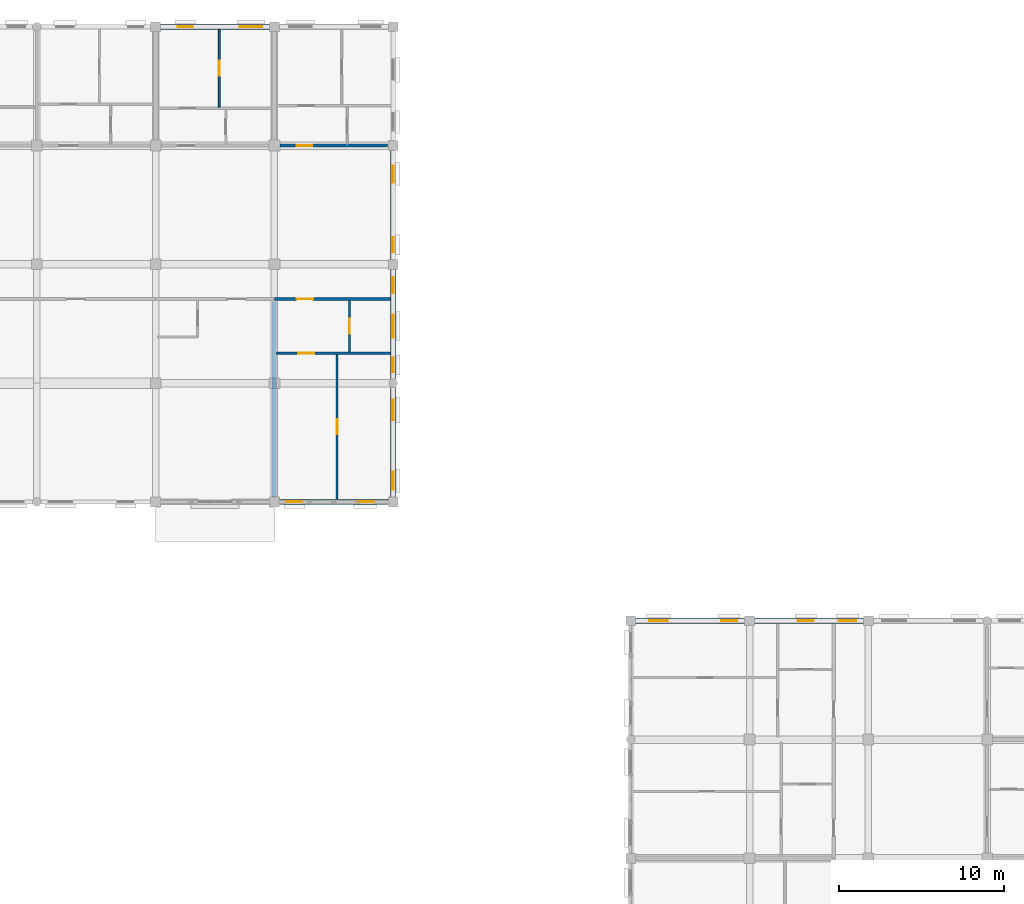
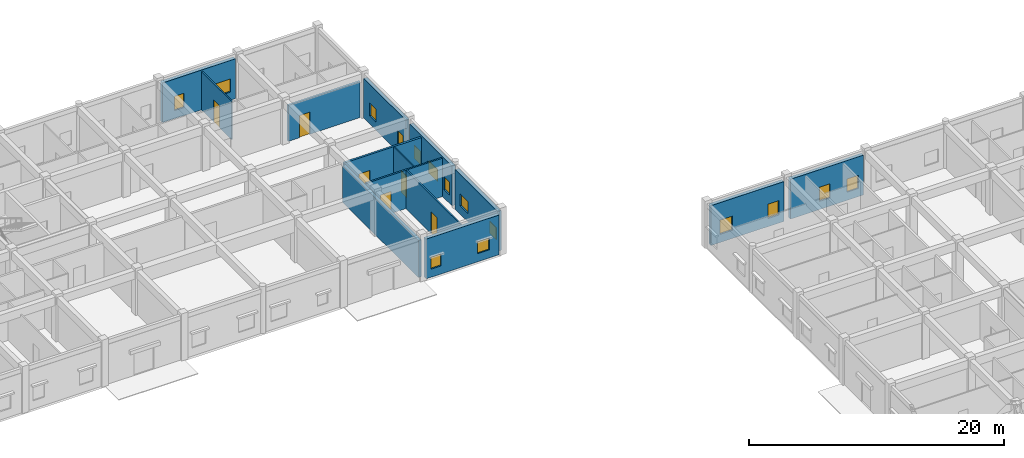
# One storey, part 120 of 138: 15 windows, 14 walls, 6 doors, 21 openings.
"""IFC4 building model written with IfcOpenShell, lengths in metres."""

import ifcopenshell
import ifcopenshell.guid

model = None  # the IFC model being written
_history = None  # IfcOwnerHistory: only IFC2X3 demands one
_inside = {}  # id of a spatial element -> (the spatial element, [elements in it])
_under = {}  # id of a project, library or spatial element -> (it, [spatial elements below it])
_declared = {}  # id of a project -> (the project, [libraries it declares])
_typed = {}  # id of a type object -> (the type object, [elements of that type])
_made_of = {}  # id of a material, layer set ... -> (it, [elements and type objects made of it])


def new_model(schema):
    """Start an empty IFC model of exactly this schema.

    Asked for "IFC4X3", IfcOpenShell would pick the latest addendum, in which some entities
    have other attributes; the version numbers below select the first issue.
    IFC2X3 requires an IfcOwnerHistory on every rooted entity: one is made here for all.
    """
    global model, _history
    if schema == "IFC4X3":
        model = ifcopenshell.file(schema_version=(4, 3, 0, 0))
    else:
        model = ifcopenshell.file(schema=schema)
    _inside.clear()
    _under.clear()
    _declared.clear()
    _typed.clear()
    _made_of.clear()
    _history = None
    if model.schema == "IFC2X3":
        org = make("IfcOrganization", Name="unknown")
        user = make(
            "IfcPersonAndOrganization",
            ThePerson=make("IfcPerson", FamilyName="unknown"),
            TheOrganization=org,
        )
        app = make(
            "IfcApplication",
            ApplicationDeveloper=org,
            Version="unknown",
            ApplicationFullName="unknown",
            ApplicationIdentifier="unknown",
        )
        _history = make(
            "IfcOwnerHistory",
            OwningUser=user,
            OwningApplication=app,
            ChangeAction="ADDED",
            CreationDate=0,
        )
    return model


def make(cls, **values):
    """One entity of the class cls with the attributes given. An attribute that is None is left unset."""
    return model.create_entity(
        cls, **{name: value for name, value in values.items() if value is not None}
    )


def rooted(cls, **values):
    """An entity with a GlobalId (a new one), such as an element, a storey or a relation."""
    return make(cls, GlobalId=ifcopenshell.guid.new(), OwnerHistory=_history, **values)


def si_unit(unit_type, name, prefix=None):
    """IfcSIUnit, for example si_unit("LENGTHUNIT", "METRE", prefix="MILLI")."""
    return make("IfcSIUnit", UnitType=unit_type, Prefix=prefix, Name=name)


def assignment(units):
    """IfcUnitAssignment: the units of a project."""
    return None if units is None else make("IfcUnitAssignment", Units=units)


def point(xyz):
    """IfcCartesianPoint."""
    return None if xyz is None else make("IfcCartesianPoint", Coordinates=xyz)


def direction(xyz):
    """IfcDirection."""
    return None if xyz is None else make("IfcDirection", DirectionRatios=xyz)


def frame(location, z_axis=None, x_axis=None):
    """IfcAxis2Placement3D, a coordinate frame: its origin and axes. An axis left out is left unset."""
    return make(
        "IfcAxis2Placement3D",
        Location=point(location),
        Axis=direction(z_axis),
        RefDirection=direction(x_axis),
    )


def frame_2d(location, x_axis=None):
    """IfcAxis2Placement2D, a coordinate frame in the plane: its origin and x axis."""
    return make(
        "IfcAxis2Placement2D", Location=point(location), RefDirection=direction(x_axis)
    )


def origin():
    """The frame at (0, 0, 0) with its axes left unset."""
    return frame((0.0, 0.0, 0.0))


def place(relative_to, where):
    """IfcLocalPlacement: puts the frame where relative to a parent placement (None: the world)."""
    return make(
        "IfcLocalPlacement", PlacementRelTo=relative_to, RelativePlacement=where
    )


def context(
    kind, dimensions, precision=None, world=None, true_north=None, identifier=None
):
    """IfcGeometricRepresentationContext, for example the 3D "Model" context."""
    return make(
        "IfcGeometricRepresentationContext",
        ContextIdentifier=identifier,
        ContextType=kind,
        CoordinateSpaceDimension=dimensions,
        Precision=precision,
        WorldCoordinateSystem=world,
        TrueNorth=true_north,
    )


def subcontext(parent, identifier, kind, view, scale=None):
    """IfcGeometricRepresentationSubContext, for example "Body" below "Model"."""
    return make(
        "IfcGeometricRepresentationSubContext",
        ContextIdentifier=identifier,
        ContextType=kind,
        ParentContext=parent,
        TargetScale=scale,
        TargetView=view,
    )


def project(units=None, contexts=None):
    """IfcProject with its units and contexts."""
    return rooted(
        "IfcProject",
        Name="project",
        RepresentationContexts=contexts,
        UnitsInContext=assignment(units),
    )


def spatial(cls, under=None, at=None, **own):
    """A site, building, storey or space (cls), placed at a placement, below another one or the project."""
    s = rooted(cls, ObjectPlacement=at, **own)
    if under is not None:
        _under.setdefault(under.id(), (under, []))[1].append(s)
    return s


def profile(cls, at=None, kind="AREA", **sizes):
    """A parametric profile (cls). Its sizes go by their IFC names, for example OverallWidth=200.0."""
    return make(cls, ProfileType=kind, Position=at, **sizes)


def rectangle(**sizes):
    """IfcRectangleProfileDef."""
    return profile("IfcRectangleProfileDef", **sizes)


def extrude(swept, where, along, depth):
    """IfcExtrudedAreaSolid: the profile swept, set in the frame where, extruded along a direction by depth."""
    return make(
        "IfcExtrudedAreaSolid",
        SweptArea=swept,
        Position=where,
        ExtrudedDirection=direction(along),
        Depth=depth,
    )


def shape(context_of_items, identifier, shape_type, items):
    """IfcShapeRepresentation: the items that make up one representation, for example the "Body"."""
    return make(
        "IfcShapeRepresentation",
        ContextOfItems=context_of_items,
        RepresentationIdentifier=identifier,
        RepresentationType=shape_type,
        Items=items,
    )


def material(Name=None, Category=None):
    """IfcMaterial."""
    return make("IfcMaterial", Name=Name, Category=Category)


def layer(
    of_material, thickness, ventilated=None, Name=None, Category=None, Priority=None
):
    """IfcMaterialLayer: one layer of a wall or slab, of a material (None: an air gap)."""
    return make(
        "IfcMaterialLayer",
        Material=of_material,
        LayerThickness=thickness,
        IsVentilated=ventilated,
        Name=Name,
        Category=Category,
        Priority=Priority,
    )


def layer_set(layers, Name=None):
    """IfcMaterialLayerSet."""
    return make("IfcMaterialLayerSet", MaterialLayers=layers, LayerSetName=Name)


def made_of(thing, what):
    """Note that an element or type object is made of a material, layer set ...; save() writes the relation."""
    if what is not None:
        _made_of.setdefault(what.id(), (what, []))[1].append(thing)
    return thing


def type_object(cls, material=None, **own):
    """A type object (cls), such as IfcWallType, which elements share."""
    return made_of(rooted(cls, **own), material)


def element(
    cls,
    number,
    at=None,
    inside=None,
    cuts=None,
    type_object=None,
    material=None,
    context=None,
    identifier="Body",
    shape_type=None,
    held_by="IfcProductDefinitionShape",
    body=None,
    shapes=None,
    **own,
):
    """One element of the class cls, such as IfcWall. Its Tag is "e" and its number.

    at: its placement. inside: the storey or other place that contains it. cuts: it is an
    opening in that element (IfcRelVoidsElement). A single representation is given by context,
    identifier, shape_type and body (its items); several are given by shapes. held_by: the class
    of the entity that holds the representations. save() writes the other relations.
    """
    e = rooted(cls, Tag="e%d" % number, ObjectPlacement=at, **own)
    if body is not None:
        shapes = [shape(context, identifier, shape_type, body)]
    if shapes is not None:
        e.Representation = make(held_by, Representations=shapes)
    if inside is not None:
        _inside.setdefault(inside.id(), (inside, []))[1].append(e)
    if cuts is not None:
        rooted(
            "IfcRelVoidsElement", RelatingBuildingElement=cuts, RelatedOpeningElement=e
        )
    if type_object is not None:
        _typed.setdefault(type_object.id(), (type_object, []))[1].append(e)
    return made_of(e, material)


def fill(opening, filler):
    """IfcRelFillsElement: the door or window that sits in an opening."""
    return rooted(
        "IfcRelFillsElement",
        RelatingOpeningElement=opening,
        RelatedBuildingElement=filler,
    )


def aggregate(whole, parts):
    """IfcRelAggregates: a whole, such as a stair, and the parts it consists of."""
    return rooted("IfcRelAggregates", RelatingObject=whole, RelatedObjects=parts)


def save(model, path):
    """Write the relations noted so far, then the file.

    IfcRelAggregates (storeys below a building ...), IfcRelContainedInSpatialStructure (elements
    in a storey), IfcRelDefinesByType, IfcRelAssociatesMaterial and IfcRelDeclares: one each for
    every whole, place, type object, material and project.
    """
    for whole, parts in _under.values():
        aggregate(whole, parts)
    for where, things in _inside.values():
        rooted(
            "IfcRelContainedInSpatialStructure",
            RelatedElements=things,
            RelatingStructure=where,
        )
    for kind, things in _typed.values():
        rooted("IfcRelDefinesByType", RelatedObjects=things, RelatingType=kind)
    for what, things in _made_of.values():
        rooted("IfcRelAssociatesMaterial", RelatedObjects=things, RelatingMaterial=what)
    for by, libraries in _declared.values():
        rooted("IfcRelDeclares", RelatingContext=by, RelatedDefinitions=libraries)
    model.write(path)


model = new_model("IFC4")

# Units and contexts
model_context = context("Model", 3, precision=1e-05, world=origin(), true_north=direction((0.0, 1.0)))
body_context = subcontext(model_context, "Body", "Model", "MODEL_VIEW")
ifc_project = project(units=[si_unit("LENGTHUNIT", "METRE"), si_unit("AREAUNIT", "SQUARE_METRE"), si_unit("VOLUMEUNIT", "CUBIC_METRE"), si_unit("PLANEANGLEUNIT", "RADIAN"), si_unit("MASSUNIT", "GRAM", prefix="KILO"), si_unit("THERMODYNAMICTEMPERATUREUNIT", "KELVIN"), si_unit("POWERUNIT", "WATT")], contexts=[model_context])

# Site, building, storey
site_placement = place(None, origin())
site = spatial("IfcSite", under=ifc_project, at=site_placement, CompositionType="ELEMENT")
building_placement = place(site_placement, origin())
building = spatial("IfcBuilding", under=site, at=building_placement, Name="Tavuni Mirador Residences", CompositionType="ELEMENT")
storey_placement = place(building_placement, origin())
storey = spatial("IfcBuildingStorey", under=building, at=storey_placement, Name="L00", CompositionType="ELEMENT", Elevation=0.0)

# Wall, opening, door
ifc_material_1 = material(Name="Precast concrete C40/50", Category="concrete")
ifc_layer_1 = layer(ifc_material_1, 0.18505859375, Name="Precast concrete C40/50", Category="concrete")
ifc_layer_set_1 = layer_set([ifc_layer_1], Name="Precast concrete C40/50")
wall_type_1 = type_object("IfcWallType", Name="WT-CORR185", PredefinedType="PARTITIONING", material=ifc_layer_set_1)
wall_1_placement = place(storey_placement, frame((68.419921875, 156.300048828125, 0.0), z_axis=(0.0, 0.0, 1.0), x_axis=(1.0, 0.0, 0.0)))
wall_1 = element("IfcWall", 1, at=wall_1_placement, inside=storey, type_object=wall_type_1, Name="CORW-BLK-C-L00-0-08", PredefinedType="PARTITIONING", context=body_context, shape_type="SweptSolid", body=[
    extrude(rectangle(XDim=7.005126953125, YDim=0.18505859375, at=frame_2d((3.50244140625, 0.0))), origin(), (0.0, 0.0, 1.0), 3.669921875),
])
opening_1_placement = place(wall_1_placement, frame((1.330078125, 0.0, 0.0)))
opening_1 = element("IfcOpeningElement", 2, at=opening_1_placement, cuts=wall_1, Name="Opening D-03", PredefinedType="OPENING", context=body_context, shape_type="SweptSolid", body=[
    extrude(rectangle(XDim=1.0, YDim=2.14990234375, at=frame_2d((0.5, 1.074951171875))), frame((0.0, 0.1025390625, 0.0), z_axis=(0.0, -1.0, 0.0), x_axis=(1.0, 0.0, 0.0)), (0.0, 0.0, 1.0), 0.205078125),
])
ifc_material_2 = material(Name="Solid core iroko timber", Category="wood")
door_type_1 = type_object("IfcDoorType", Name="DT-FD60-1000", OperationType="NOTDEFINED", PredefinedType="DOOR", material=ifc_material_2)
door_1_placement = place(opening_1_placement, origin())
door_1 = element("IfcDoor", 3, at=door_1_placement, inside=storey, type_object=door_type_1, Name="DR-2619", OperationType="SINGLE_SWING_RIGHT", OverallHeight=2.14990234375, OverallWidth=1.0, PredefinedType="DOOR", context=body_context, shape_type="SweptSolid", body=[
    extrude(rectangle(XDim=1.0, YDim=2.14990234375, at=frame_2d((0.5, 1.074951171875))), frame((0.0, 0.02490234375, 0.0), z_axis=(0.0, -1.0, 0.0), x_axis=(1.0, 0.0, 0.0)), (0.0, 0.0, 1.0), 0.050048828125),
])
fill(opening_1, door_1)

wall_2_placement = place(storey_placement, frame((68.75, 165.60009765625, 0.0), z_axis=(0.0, 0.0, 1.0), x_axis=(1.0, 0.0, 0.0)))
wall_2 = element("IfcWall", 4, at=wall_2_placement, inside=storey, type_object=wall_type_1, Name="CORW-BLK-C-L00-1-08", PredefinedType="PARTITIONING", context=body_context, shape_type="SweptSolid", body=[
    extrude(rectangle(XDim=6.5, YDim=0.18505859375, at=frame_2d((3.25, 0.0))), origin(), (0.0, 0.0, 1.0), 3.43505859375),
])
opening_2_placement = place(wall_2_placement, frame((1.0, 0.0, 0.0)))
opening_2 = element("IfcOpeningElement", 5, at=opening_2_placement, cuts=wall_2, Name="Opening D-19", PredefinedType="OPENING", context=body_context, shape_type="SweptSolid", body=[
    extrude(rectangle(XDim=0.93994140625, YDim=2.1201171875, at=frame_2d((0.469970703125, 1.06005859375))), frame((0.0, 0.1025390625, 0.0), z_axis=(0.0, -1.0, 0.0), x_axis=(1.0, 0.0, 0.0)), (0.0, 0.0, 1.0), 0.205078125),
])
door_type_2 = type_object("IfcDoorType", Name="DT-FD60-940", OperationType="NOTDEFINED", PredefinedType="DOOR", material=ifc_material_2)
door_2_placement = place(opening_2_placement, origin())
door_2 = element("IfcDoor", 6, at=door_2_placement, inside=storey, type_object=door_type_2, Name="DR-2626", OperationType="SINGLE_SWING_LEFT", OverallHeight=2.1201171875, OverallWidth=0.93994140625, PredefinedType="DOOR", context=body_context, shape_type="SweptSolid", body=[
    extrude(rectangle(XDim=0.93994140625, YDim=2.1201171875, at=frame_2d((0.469970703125, 1.06005859375))), frame((0.0, 0.02490234375, 0.0), z_axis=(0.0, -1.0, 0.0), x_axis=(1.0, 0.0, 0.0)), (0.0, 0.0, 1.0), 0.050048828125),
])
fill(opening_2, door_2)

# Wall, openings, windows
ifc_layer_2 = layer(ifc_material_1, 0.330078125, Name="Precast concrete C40/50", Category="concrete")
ifc_layer_set_2 = layer_set([ifc_layer_2], Name="Precast concrete C40/50")
wall_type_2 = type_object("IfcWallType", Name="WT-EXT-COR330", PredefinedType="SOLIDWALL", material=ifc_layer_set_2)
wall_3_placement = place(storey_placement, frame((75.60009765625, 144.300048828125, 0.0), z_axis=(0.0, 0.0, 1.0), x_axis=(0.0, 1.0, 0.0)))
wall_3 = element("IfcWall", 7, at=wall_3_placement, inside=storey, type_object=wall_type_2, Name="EW-BLK-C-L00-E00", PredefinedType="SOLIDWALL", context=body_context, shape_type="SweptSolid", body=[
    extrude(rectangle(XDim=6.639892578125, YDim=0.330078125, at=frame_2d((3.31982421875, 0.0))), origin(), (0.0, 0.0, 1.0), 3.804931640625),
])
opening_3_placement = place(wall_3_placement, frame((0.449951171875, 0.0, 0.780029296875)))
opening_3 = element("IfcOpeningElement", 8, at=opening_3_placement, cuts=wall_3, Name="Opening WN-04", PredefinedType="OPENING", context=body_context, shape_type="SweptSolid", body=[
    extrude(rectangle(XDim=1.080078125, YDim=1.14990234375, at=frame_2d((0.5400390625, 0.574951171875))), frame((0.0, 0.175048828125, 0.0), z_axis=(0.0, -1.0, 0.0), x_axis=(1.0, 0.0, 0.0)), (0.0, 0.0, 1.0), 0.35009765625),
])
opening_4_placement = place(wall_3_placement, frame((4.64990234375, 0.0, 0.780029296875)))
opening_4 = element("IfcOpeningElement", 9, at=opening_4_placement, cuts=wall_3, Name="Opening WN-06", PredefinedType="OPENING", context=body_context, shape_type="SweptSolid", body=[
    extrude(rectangle(XDim=1.239990234375, YDim=1.14990234375, at=frame_2d((0.6201171875, 0.574951171875))), frame((0.0, 0.175048828125, 0.0), z_axis=(0.0, -1.0, 0.0), x_axis=(1.0, 0.0, 0.0)), (0.0, 0.0, 1.0), 0.35009765625),
])
ifc_material_3 = material(Name="Laminated solar-control glass", Category="glass")
window_type_1 = type_object("IfcWindowType", Name="WNT-04", PartitioningType="SINGLE_PANEL", PredefinedType="WINDOW", material=ifc_material_3)
window_1_placement = place(opening_3_placement, origin())
window_1 = element("IfcWindow", 10, at=window_1_placement, inside=storey, type_object=window_type_1, Name="WIN-0813", OverallHeight=1.14990234375, OverallWidth=1.080078125, PartitioningType="SINGLE_PANEL", PredefinedType="WINDOW", context=body_context, shape_type="SweptSolid", body=[
    extrude(rectangle(XDim=1.080078125, YDim=1.14990234375, at=frame_2d((0.5400390625, 0.574951171875))), frame((0.0, 0.030029296875, 0.0), z_axis=(0.0, -1.0, 0.0), x_axis=(1.0, 0.0, 0.0)), (0.0, 0.0, 1.0), 0.06005859375),
])
fill(opening_3, window_1)
window_type_2 = type_object("IfcWindowType", Name="WNT-06", PartitioningType="SINGLE_PANEL", PredefinedType="WINDOW", material=ifc_material_3)
window_2_placement = place(opening_4_placement, origin())
window_2 = element("IfcWindow", 11, at=window_2_placement, inside=storey, type_object=window_type_2, Name="WIN-0814", OverallHeight=1.14990234375, OverallWidth=1.239990234375, PartitioningType="SINGLE_PANEL", PredefinedType="WINDOW", context=body_context, shape_type="SweptSolid", body=[
    extrude(rectangle(XDim=1.239990234375, YDim=1.14990234375, at=frame_2d((0.6201171875, 0.574951171875))), frame((0.0, 0.030029296875, 0.0), z_axis=(0.0, -1.0, 0.0), x_axis=(1.0, 0.0, 0.0)), (0.0, 0.0, 1.0), 0.06005859375),
])
fill(opening_4, window_2)

wall_4_placement = place(storey_placement, frame((68.10009765625, 172.800048828125, 0.0), z_axis=(0.0, 0.0, 1.0), x_axis=(-1.0, 0.0, 0.0)))
wall_4 = element("IfcWall", 12, at=wall_4_placement, inside=storey, type_object=wall_type_2, Name="EW-BLK-C-L00-N07", PredefinedType="SOLIDWALL", context=body_context, shape_type="SweptSolid", body=[
    extrude(rectangle(XDim=6.60009765625, YDim=0.330078125, at=frame_2d((3.300048828125, 0.0))), origin(), (0.0, 0.0, 1.0), 3.804931640625),
])
opening_5_placement = place(wall_4_placement, frame((0.449951171875, 0.0, 0.780029296875)))
opening_5 = element("IfcOpeningElement", 13, at=opening_5_placement, cuts=wall_4, Name="Opening WN-15", PredefinedType="OPENING", context=body_context, shape_type="SweptSolid", body=[
    extrude(rectangle(XDim=1.360107421875, YDim=1.260009765625, at=frame_2d((0.68017578125, 0.6298828125))), frame((0.0, 0.175048828125, 0.0), z_axis=(0.0, -1.0, 0.0), x_axis=(1.0, 0.0, 0.0)), (0.0, 0.0, 1.0), 0.35009765625),
])
opening_6_placement = place(wall_4_placement, frame((4.64990234375, 0.0, 0.780029296875)))
opening_6 = element("IfcOpeningElement", 14, at=opening_6_placement, cuts=wall_4, Name="Opening WN-17", PredefinedType="OPENING", context=body_context, shape_type="SweptSolid", body=[
    extrude(rectangle(XDim=0.89990234375, YDim=1.360107421875, at=frame_2d((0.449951171875, 0.68017578125))), frame((0.0, 0.175048828125, 0.0), z_axis=(0.0, -1.0, 0.0), x_axis=(1.0, 0.0, 0.0)), (0.0, 0.0, 1.0), 0.35009765625),
])
window_type_3 = type_object("IfcWindowType", Name="WNT-15", PartitioningType="SINGLE_PANEL", PredefinedType="WINDOW", material=ifc_material_3)
window_3_placement = place(opening_5_placement, origin())
window_3 = element("IfcWindow", 15, at=window_3_placement, inside=storey, type_object=window_type_3, Name="WIN-0824", OverallHeight=1.260009765625, OverallWidth=1.360107421875, PartitioningType="SINGLE_PANEL", PredefinedType="WINDOW", context=body_context, shape_type="SweptSolid", body=[
    extrude(rectangle(XDim=1.360107421875, YDim=1.260009765625, at=frame_2d((0.68017578125, 0.6298828125))), frame((0.0, 0.030029296875, 0.0), z_axis=(0.0, -1.0, 0.0), x_axis=(1.0, 0.0, 0.0)), (0.0, 0.0, 1.0), 0.06005859375),
])
fill(opening_5, window_3)
window_type_4 = type_object("IfcWindowType", Name="WNT-17", PartitioningType="SINGLE_PANEL", PredefinedType="WINDOW", material=ifc_material_3)
window_4_placement = place(opening_6_placement, origin())
window_4 = element("IfcWindow", 16, at=window_4_placement, inside=storey, type_object=window_type_4, Name="WIN-0825", OverallHeight=1.360107421875, OverallWidth=0.89990234375, PartitioningType="SINGLE_PANEL", PredefinedType="WINDOW", context=body_context, shape_type="SweptSolid", body=[
    extrude(rectangle(XDim=0.89990234375, YDim=1.360107421875, at=frame_2d((0.449951171875, 0.68017578125))), frame((0.0, 0.030029296875, 0.0), z_axis=(0.0, -1.0, 0.0), x_axis=(1.0, 0.0, 0.0)), (0.0, 0.0, 1.0), 0.06005859375),
])
fill(opening_6, window_4)

wall_5_placement = place(storey_placement, frame((96.89990234375, 136.800048828125, 0.0), z_axis=(0.0, 0.0, 1.0), x_axis=(-1.0, 0.0, 0.0)))
wall_5 = element("IfcWall", 17, at=wall_5_placement, inside=storey, type_object=wall_type_2, Name="EW-BLK-D-L00-N00", PredefinedType="SOLIDWALL", context=body_context, shape_type="SweptSolid", body=[
    extrude(rectangle(XDim=6.599853515625, YDim=0.330078125, at=frame_2d((3.2998046875, 0.0))), origin(), (0.0, 0.0, 1.0), 3.81005859375),
])
opening_7_placement = place(wall_5_placement, frame((0.449951171875, 0.0, 0.780029296875)))
opening_7 = element("IfcOpeningElement", 18, at=opening_7_placement, cuts=wall_5, Name="Opening WN-18", PredefinedType="OPENING", context=body_context, shape_type="SweptSolid", body=[
    extrude(rectangle(XDim=0.97998046875, YDim=1.360107421875, at=frame_2d((0.489990234375, 0.68017578125))), frame((0.0, 0.175048828125, 0.0), z_axis=(0.0, -1.0, 0.0), x_axis=(1.0, 0.0, 0.0)), (0.0, 0.0, 1.0), 0.35009765625),
])
opening_8_placement = place(wall_5_placement, frame((4.64990234375, 0.0, 0.780029296875)))
opening_8 = element("IfcOpeningElement", 19, at=opening_8_placement, cuts=wall_5, Name="Opening WN-20", PredefinedType="OPENING", context=body_context, shape_type="SweptSolid", body=[
    extrude(rectangle(XDim=1.139892578125, YDim=1.360107421875, at=frame_2d((0.56982421875, 0.68017578125))), frame((0.0, 0.175048828125, 0.0), z_axis=(0.0, -1.0, 0.0), x_axis=(1.0, 0.0, 0.0)), (0.0, 0.0, 1.0), 0.35009765625),
])
window_type_5 = type_object("IfcWindowType", Name="WNT-18", PartitioningType="SINGLE_PANEL", PredefinedType="WINDOW", material=ifc_material_3)
window_5_placement = place(opening_7_placement, origin())
window_5 = element("IfcWindow", 20, at=window_5_placement, inside=storey, type_object=window_type_5, Name="WIN-1427", OverallHeight=1.360107421875, OverallWidth=0.97998046875, PartitioningType="SINGLE_PANEL", PredefinedType="WINDOW", context=body_context, shape_type="SweptSolid", body=[
    extrude(rectangle(XDim=0.97998046875, YDim=1.360107421875, at=frame_2d((0.489990234375, 0.68017578125))), frame((0.0, 0.030029296875, 0.0), z_axis=(0.0, -1.0, 0.0), x_axis=(1.0, 0.0, 0.0)), (0.0, 0.0, 1.0), 0.06005859375),
])
fill(opening_7, window_5)
window_type_6 = type_object("IfcWindowType", Name="WNT-20", PartitioningType="SINGLE_PANEL", PredefinedType="WINDOW", material=ifc_material_3)
window_6_placement = place(opening_8_placement, origin())
window_6 = element("IfcWindow", 21, at=window_6_placement, inside=storey, type_object=window_type_6, Name="WIN-1428", OverallHeight=1.360107421875, OverallWidth=1.139892578125, PartitioningType="SINGLE_PANEL", PredefinedType="WINDOW", context=body_context, shape_type="SweptSolid", body=[
    extrude(rectangle(XDim=1.139892578125, YDim=1.360107421875, at=frame_2d((0.56982421875, 0.68017578125))), frame((0.0, 0.030029296875, 0.0), z_axis=(0.0, -1.0, 0.0), x_axis=(1.0, 0.0, 0.0)), (0.0, 0.0, 1.0), 0.06005859375),
])
fill(opening_8, window_6)

ifc_material_4 = material(Name="Sgraffito lime-rendered precast concrete C40/50", Category="concrete")
ifc_layer_3 = layer(ifc_material_4, 0.304931640625, Name="Sgraffito lime-rendered precast concrete C40/50", Category="concrete")
ifc_layer_set_3 = layer_set([ifc_layer_3], Name="Sgraffito lime-rendered precast concrete C40/50")
wall_type_3 = type_object("IfcWallType", Name="WT-EXT-PC305", PredefinedType="SOLIDWALL", material=ifc_layer_set_3)
wall_6_placement = place(storey_placement, frame((75.60009765625, 158.699951171875, 0.0), z_axis=(0.0, 0.0, 1.0), x_axis=(0.0, 1.0, 0.0)))
wall_6 = element("IfcWall", 22, at=wall_6_placement, inside=storey, type_object=wall_type_3, Name="EW-BLK-C-L00-E02", PredefinedType="SOLIDWALL", context=body_context, shape_type="SweptSolid", body=[
    extrude(rectangle(XDim=6.60009765625, YDim=0.304931640625, at=frame_2d((3.300048828125, 0.0))), origin(), (0.0, 0.0, 1.0), 3.804931640625),
])
opening_9_placement = place(wall_6_placement, frame((0.449951171875, 0.0, 0.780029296875)))
opening_9 = element("IfcOpeningElement", 23, at=opening_9_placement, cuts=wall_6, Name="Opening WN-09", PredefinedType="OPENING", context=body_context, shape_type="SweptSolid", body=[
    extrude(rectangle(XDim=0.8798828125, YDim=1.260009765625, at=frame_2d((0.43994140625, 0.6298828125))), frame((0.0, 0.16259765625, 0.0), z_axis=(0.0, -1.0, 0.0), x_axis=(1.0, 0.0, 0.0)), (0.0, 0.0, 1.0), 0.324951171875),
])
opening_10_placement = place(wall_6_placement, frame((4.64990234375, 0.0, 0.780029296875)))
opening_10 = element("IfcOpeningElement", 24, at=opening_10_placement, cuts=wall_6, Name="Opening WN-11", PredefinedType="OPENING", context=body_context, shape_type="SweptSolid", body=[
    extrude(rectangle(XDim=1.0400390625, YDim=1.260009765625, at=frame_2d((0.52001953125, 0.6298828125))), frame((0.0, 0.16259765625, 0.0), z_axis=(0.0, -1.0, 0.0), x_axis=(1.0, 0.0, 0.0)), (0.0, 0.0, 1.0), 0.324951171875),
])
window_type_7 = type_object("IfcWindowType", Name="WNT-09", PartitioningType="SINGLE_PANEL", PredefinedType="WINDOW", material=ifc_material_3)
window_7_placement = place(opening_9_placement, origin())
window_7 = element("IfcWindow", 25, at=window_7_placement, inside=storey, type_object=window_type_7, Name="WIN-0818", OverallHeight=1.260009765625, OverallWidth=0.8798828125, PartitioningType="SINGLE_PANEL", PredefinedType="WINDOW", context=body_context, shape_type="SweptSolid", body=[
    extrude(rectangle(XDim=0.8798828125, YDim=1.260009765625, at=frame_2d((0.43994140625, 0.6298828125))), frame((0.0, 0.030029296875, 0.0), z_axis=(0.0, -1.0, 0.0), x_axis=(1.0, 0.0, 0.0)), (0.0, 0.0, 1.0), 0.06005859375),
])
fill(opening_9, window_7)
window_type_8 = type_object("IfcWindowType", Name="WNT-11", PartitioningType="SINGLE_PANEL", PredefinedType="WINDOW", material=ifc_material_3)
window_8_placement = place(opening_10_placement, origin())
window_8 = element("IfcWindow", 26, at=window_8_placement, inside=storey, type_object=window_type_8, Name="WIN-0819", OverallHeight=1.260009765625, OverallWidth=1.0400390625, PartitioningType="SINGLE_PANEL", PredefinedType="WINDOW", context=body_context, shape_type="SweptSolid", body=[
    extrude(rectangle(XDim=1.0400390625, YDim=1.260009765625, at=frame_2d((0.52001953125, 0.6298828125))), frame((0.0, 0.030029296875, 0.0), z_axis=(0.0, -1.0, 0.0), x_axis=(1.0, 0.0, 0.0)), (0.0, 0.0, 1.0), 0.06005859375),
])
fill(opening_10, window_8)

ifc_layer_4 = layer(ifc_material_4, 0.31494140625, Name="Sgraffito lime-rendered precast concrete C40/50", Category="concrete")
ifc_layer_set_4 = layer_set([ifc_layer_4], Name="Sgraffito lime-rendered precast concrete C40/50")
wall_type_4 = type_object("IfcWallType", Name="WT-EXT-PC315", PredefinedType="SOLIDWALL", material=ifc_layer_set_4)
wall_7_placement = place(storey_placement, frame((68.699951171875, 144.0, 0.0), z_axis=(0.0, 0.0, 1.0), x_axis=(1.0, 0.0, 0.0)))
wall_7 = element("IfcWall", 27, at=wall_7_placement, inside=storey, type_object=wall_type_4, Name="EW-BLK-C-L00-S08", PredefinedType="SOLIDWALL", context=body_context, shape_type="SweptSolid", body=[
    extrude(rectangle(XDim=6.60009765625, YDim=0.31494140625, at=frame_2d((3.300048828125, 0.0))), origin(), (0.0, 0.0, 1.0), 3.804931640625),
])
opening_11_placement = place(wall_7_placement, frame((0.449951171875, 0.0, 0.780029296875)))
opening_11 = element("IfcOpeningElement", 28, at=opening_11_placement, cuts=wall_7, Name="Opening WN-02", PredefinedType="OPENING", context=body_context, shape_type="SweptSolid", body=[
    extrude(rectangle(XDim=0.919921875, YDim=1.14990234375, at=frame_2d((0.4599609375, 0.574951171875))), frame((0.0, 0.16748046875, 0.0), z_axis=(0.0, -1.0, 0.0), x_axis=(1.0, 0.0, 0.0)), (0.0, 0.0, 1.0), 0.3349609375),
])
opening_12_placement = place(wall_7_placement, frame((4.64990234375, 0.0, 0.780029296875)))
opening_12 = element("IfcOpeningElement", 29, at=opening_12_placement, cuts=wall_7, Name="Opening WN-04", PredefinedType="OPENING", context=body_context, shape_type="SweptSolid", body=[
    extrude(rectangle(XDim=1.080078125, YDim=1.14990234375, at=frame_2d((0.5400390625, 0.574951171875))), frame((0.0, 0.16748046875, 0.0), z_axis=(0.0, -1.0, 0.0), x_axis=(1.0, 0.0, 0.0)), (0.0, 0.0, 1.0), 0.3349609375),
])
window_type_9 = type_object("IfcWindowType", Name="WNT-02", PartitioningType="SINGLE_PANEL", PredefinedType="WINDOW", material=ifc_material_3)
window_9_placement = place(opening_11_placement, origin())
window_9 = element("IfcWindow", 30, at=window_9_placement, inside=storey, type_object=window_type_9, Name="WIN-0811", OverallHeight=1.14990234375, OverallWidth=0.919921875, PartitioningType="SINGLE_PANEL", PredefinedType="WINDOW", context=body_context, shape_type="SweptSolid", body=[
    extrude(rectangle(XDim=0.919921875, YDim=1.14990234375, at=frame_2d((0.4599609375, 0.574951171875))), frame((0.0, 0.030029296875, 0.0), z_axis=(0.0, -1.0, 0.0), x_axis=(1.0, 0.0, 0.0)), (0.0, 0.0, 1.0), 0.06005859375),
])
fill(opening_11, window_9)
window_10_placement = place(opening_12_placement, origin())
window_10 = element("IfcWindow", 31, at=window_10_placement, inside=storey, type_object=window_type_1, Name="WIN-0812", OverallHeight=1.14990234375, OverallWidth=1.080078125, PartitioningType="SINGLE_PANEL", PredefinedType="WINDOW", context=body_context, shape_type="SweptSolid", body=[
    extrude(rectangle(XDim=1.080078125, YDim=1.14990234375, at=frame_2d((0.5400390625, 0.574951171875))), frame((0.0, 0.030029296875, 0.0), z_axis=(0.0, -1.0, 0.0), x_axis=(1.0, 0.0, 0.0)), (0.0, 0.0, 1.0), 0.06005859375),
])
fill(opening_12, window_10)

wall_8_placement = place(storey_placement, frame((75.60009765625, 151.4599609375, 0.0), z_axis=(0.0, 0.0, 1.0), x_axis=(0.0, 1.0, 0.0)))
wall_8 = element("IfcWall", 32, at=wall_8_placement, inside=storey, type_object=wall_type_4, Name="EW-BLK-C-L00-E01", PredefinedType="SOLIDWALL", context=body_context, shape_type="SweptSolid", body=[
    extrude(rectangle(XDim=6.64013671875, YDim=0.31494140625, at=frame_2d((3.320068359375, 0.0))), origin(), (0.0, 0.0, 1.0), 3.804931640625),
])
opening_13_placement = place(wall_8_placement, frame((0.409912109375, 0.0, 0.780029296875)))
opening_13 = element("IfcOpeningElement", 33, at=opening_13_placement, cuts=wall_8, Name="Opening WN-09", PredefinedType="OPENING", context=body_context, shape_type="SweptSolid", body=[
    extrude(rectangle(XDim=0.8798828125, YDim=1.260009765625, at=frame_2d((0.43994140625, 0.6298828125))), frame((0.0, 0.16748046875, 0.0), z_axis=(0.0, -1.0, 0.0), x_axis=(1.0, 0.0, 0.0)), (0.0, 0.0, 1.0), 0.3349609375),
])
opening_14_placement = place(wall_8_placement, frame((2.5, 0.0, 0.780029296875)))
opening_14 = element("IfcOpeningElement", 34, at=opening_14_placement, cuts=wall_8, Name="Opening WN-08", PredefinedType="OPENING", context=body_context, shape_type="SweptSolid", body=[
    extrude(rectangle(XDim=1.39990234375, YDim=1.14990234375, at=frame_2d((0.699951171875, 0.574951171875))), frame((0.0, 0.16748046875, 0.0), z_axis=(0.0, -1.0, 0.0), x_axis=(1.0, 0.0, 0.0)), (0.0, 0.0, 1.0), 0.3349609375),
])
opening_15_placement = place(wall_8_placement, frame((5.18994140625, 0.0, 0.780029296875)))
opening_15 = element("IfcOpeningElement", 35, at=opening_15_placement, cuts=wall_8, Name="Opening WN-10", PredefinedType="OPENING", context=body_context, shape_type="SweptSolid", body=[
    extrude(rectangle(XDim=0.9599609375, YDim=1.260009765625, at=frame_2d((0.47998046875, 0.6298828125))), frame((0.0, 0.16748046875, 0.0), z_axis=(0.0, -1.0, 0.0), x_axis=(1.0, 0.0, 0.0)), (0.0, 0.0, 1.0), 0.3349609375),
])
window_type_10 = type_object("IfcWindowType", Name="WNT-08", PartitioningType="SINGLE_PANEL", PredefinedType="WINDOW", material=ifc_material_3)
window_11_placement = place(opening_14_placement, origin())
window_11 = element("IfcWindow", 36, at=window_11_placement, inside=storey, type_object=window_type_10, Name="WIN-0816", OverallHeight=1.14990234375, OverallWidth=1.39990234375, PartitioningType="SINGLE_PANEL", PredefinedType="WINDOW", context=body_context, shape_type="SweptSolid", body=[
    extrude(rectangle(XDim=1.39990234375, YDim=1.14990234375, at=frame_2d((0.699951171875, 0.574951171875))), frame((0.0, 0.030029296875, 0.0), z_axis=(0.0, -1.0, 0.0), x_axis=(1.0, 0.0, 0.0)), (0.0, 0.0, 1.0), 0.06005859375),
])
fill(opening_14, window_11)
window_12_placement = place(opening_13_placement, origin())
window_12 = element("IfcWindow", 37, at=window_12_placement, inside=storey, type_object=window_type_7, Name="WIN-0815", OverallHeight=1.260009765625, OverallWidth=0.8798828125, PartitioningType="SINGLE_PANEL", PredefinedType="WINDOW", context=body_context, shape_type="SweptSolid", body=[
    extrude(rectangle(XDim=0.8798828125, YDim=1.260009765625, at=frame_2d((0.43994140625, 0.6298828125))), frame((0.0, 0.030029296875, 0.0), z_axis=(0.0, -1.0, 0.0), x_axis=(1.0, 0.0, 0.0)), (0.0, 0.0, 1.0), 0.06005859375),
])
fill(opening_13, window_12)
window_type_11 = type_object("IfcWindowType", Name="WNT-10", PartitioningType="SINGLE_PANEL", PredefinedType="WINDOW", material=ifc_material_3)
window_13_placement = place(opening_15_placement, origin())
window_13 = element("IfcWindow", 38, at=window_13_placement, inside=storey, type_object=window_type_11, Name="WIN-0817", OverallHeight=1.260009765625, OverallWidth=0.9599609375, PartitioningType="SINGLE_PANEL", PredefinedType="WINDOW", context=body_context, shape_type="SweptSolid", body=[
    extrude(rectangle(XDim=0.9599609375, YDim=1.260009765625, at=frame_2d((0.47998046875, 0.6298828125))), frame((0.0, 0.030029296875, 0.0), z_axis=(0.0, -1.0, 0.0), x_axis=(1.0, 0.0, 0.0)), (0.0, 0.0, 1.0), 0.06005859375),
])
fill(opening_15, window_13)

wall_9_placement = place(storey_placement, frame((104.10009765625, 136.800048828125, 0.0), z_axis=(0.0, 0.0, 1.0), x_axis=(-1.0, 0.0, 0.0)))
wall_9 = element("IfcWall", 39, at=wall_9_placement, inside=storey, type_object=wall_type_4, Name="EW-BLK-D-L00-N01", PredefinedType="SOLIDWALL", context=body_context, shape_type="SweptSolid", body=[
    extrude(rectangle(XDim=6.60009765625, YDim=0.31494140625, at=frame_2d((3.300048828125, 0.0))), origin(), (0.0, 0.0, 1.0), 3.81005859375),
])
opening_16_placement = place(wall_9_placement, frame((0.449951171875, 0.0, 0.780029296875)))
opening_16 = element("IfcOpeningElement", 40, at=opening_16_placement, cuts=wall_9, Name="Opening WN-11", PredefinedType="OPENING", context=body_context, shape_type="SweptSolid", body=[
    extrude(rectangle(XDim=1.0400390625, YDim=1.260009765625, at=frame_2d((0.52001953125, 0.6298828125))), frame((0.0, 0.16748046875, 0.0), z_axis=(0.0, -1.0, 0.0), x_axis=(1.0, 0.0, 0.0)), (0.0, 0.0, 1.0), 0.3349609375),
])
opening_17_placement = place(wall_9_placement, frame((3.010009765625, 0.0, 0.780029296875)))
opening_17 = element("IfcOpeningElement", 41, at=opening_17_placement, cuts=wall_9, Name="Opening WN-18", PredefinedType="OPENING", context=body_context, shape_type="SweptSolid", body=[
    extrude(rectangle(XDim=0.97998046875, YDim=1.360107421875, at=frame_2d((0.489990234375, 0.68017578125))), frame((0.0, 0.16748046875, 0.0), z_axis=(0.0, -1.0, 0.0), x_axis=(1.0, 0.0, 0.0)), (0.0, 0.0, 1.0), 0.3349609375),
])
window_14_placement = place(opening_16_placement, origin())
window_14 = element("IfcWindow", 42, at=window_14_placement, inside=storey, type_object=window_type_8, Name="WIN-1425", OverallHeight=1.260009765625, OverallWidth=1.0400390625, PartitioningType="SINGLE_PANEL", PredefinedType="WINDOW", context=body_context, shape_type="SweptSolid", body=[
    extrude(rectangle(XDim=1.0400390625, YDim=1.260009765625, at=frame_2d((0.52001953125, 0.6298828125))), frame((0.0, 0.030029296875, 0.0), z_axis=(0.0, -1.0, 0.0), x_axis=(1.0, 0.0, 0.0)), (0.0, 0.0, 1.0), 0.06005859375),
])
fill(opening_16, window_14)
window_15_placement = place(opening_17_placement, origin())
window_15 = element("IfcWindow", 43, at=window_15_placement, inside=storey, type_object=window_type_5, Name="WIN-1426", OverallHeight=1.360107421875, OverallWidth=0.97998046875, PartitioningType="SINGLE_PANEL", PredefinedType="WINDOW", context=body_context, shape_type="SweptSolid", body=[
    extrude(rectangle(XDim=0.97998046875, YDim=1.360107421875, at=frame_2d((0.489990234375, 0.68017578125))), frame((0.0, 0.030029296875, 0.0), z_axis=(0.0, -1.0, 0.0), x_axis=(1.0, 0.0, 0.0)), (0.0, 0.0, 1.0), 0.06005859375),
])
fill(opening_17, window_15)

# Wall, opening, door
ifc_material_5 = material(Name="Acoustic gypsum and concrete block partition", Category="concrete")
ifc_layer_5 = layer(ifc_material_5, 0.094970703125, Name="Acoustic gypsum and concrete block partition", Category="concrete")
ifc_layer_set_5 = layer_set([ifc_layer_5], Name="Acoustic gypsum and concrete block partition")
wall_type_5 = type_object("IfcWallType", Name="WT-PART095", PredefinedType="PARTITIONING", material=ifc_layer_set_5)
wall_10_placement = place(storey_placement, frame((72.949951171875, 153.090087890625, 0.0), z_axis=(0.0, 0.0, 1.0), x_axis=(0.0, 1.0, 0.0)))
wall_10 = element("IfcWall", 44, at=wall_10_placement, inside=storey, type_object=wall_type_5, Name="PW-BLK-C-L00-S08-IN1", PredefinedType="PARTITIONING", context=body_context, shape_type="SweptSolid", body=[
    extrude(rectangle(XDim=3.119873046875, YDim=0.094970703125, at=frame_2d((1.56005859375, 0.0))), origin(), (0.0, 0.0, 1.0), 3.669921875),
])
opening_18_placement = place(wall_10_placement, frame((1.110107421875, 0.0, 0.0)))
opening_18 = element("IfcOpeningElement", 45, at=opening_18_placement, cuts=wall_10, Name="Opening D-09", PredefinedType="OPENING", context=body_context, shape_type="SweptSolid", body=[
    extrude(rectangle(XDim=0.89990234375, YDim=2.050048828125, at=frame_2d((0.449951171875, 1.02490234375))), frame((0.0, 0.0576171875, 0.0), z_axis=(0.0, -1.0, 0.0), x_axis=(1.0, 0.0, 0.0)), (0.0, 0.0, 1.0), 0.114990234375),
])
door_type_3 = type_object("IfcDoorType", Name="DT-WC900", OperationType="NOTDEFINED", PredefinedType="DOOR", material=ifc_material_2)
door_3_placement = place(opening_18_placement, origin())
door_3 = element("IfcDoor", 46, at=door_3_placement, inside=storey, type_object=door_type_3, Name="DR-3679", OperationType="SINGLE_SWING_LEFT", OverallHeight=2.050048828125, OverallWidth=0.89990234375, PredefinedType="DOOR", context=body_context, shape_type="SweptSolid", body=[
    extrude(rectangle(XDim=0.89990234375, YDim=2.050048828125, at=frame_2d((0.449951171875, 1.02490234375))), frame((0.0, 0.02490234375, 0.0), z_axis=(0.0, -1.0, 0.0), x_axis=(1.0, 0.0, 0.0)), (0.0, 0.0, 1.0), 0.050048828125),
])
fill(opening_18, door_3)

ifc_layer_6 = layer(ifc_material_5, 0.114990234375, Name="Acoustic gypsum and concrete block partition", Category="concrete")
ifc_layer_set_6 = layer_set([ifc_layer_6], Name="Acoustic gypsum and concrete block partition")
wall_type_6 = type_object("IfcWallType", Name="WT-PART115", PredefinedType="PARTITIONING", material=ifc_layer_set_6)
wall_11_placement = place(storey_placement, frame((65.06005859375, 167.929931640625, 0.0), z_axis=(0.0, 0.0, 1.0), x_axis=(0.0, 1.0, 0.0)))
wall_11 = element("IfcWall", 47, at=wall_11_placement, inside=storey, type_object=wall_type_6, Name="PW-BLK-C-L00-N07-OUT", PredefinedType="PARTITIONING", context=body_context, shape_type="SweptSolid", body=[
    extrude(rectangle(XDim=4.695068359375, YDim=0.114990234375, at=frame_2d((2.34765625, 0.0))), origin(), (0.0, 0.0, 1.0), 3.669921875),
])
opening_19_placement = place(wall_11_placement, frame((1.8974609375, 0.0, 0.0)))
opening_19 = element("IfcOpeningElement", 48, at=opening_19_placement, cuts=wall_11, Name="Opening D-07", PredefinedType="OPENING", context=body_context, shape_type="SweptSolid", body=[
    extrude(rectangle(XDim=0.89990234375, YDim=2.10009765625, at=frame_2d((0.449951171875, 1.050048828125))), frame((0.0, 0.0673828125, 0.0), z_axis=(0.0, -1.0, 0.0), x_axis=(1.0, 0.0, 0.0)), (0.0, 0.0, 1.0), 0.135009765625),
])
door_type_4 = type_object("IfcDoorType", Name="DT-BED900", OperationType="NOTDEFINED", PredefinedType="DOOR", material=ifc_material_2)
door_4_placement = place(opening_19_placement, origin())
door_4 = element("IfcDoor", 49, at=door_4_placement, inside=storey, type_object=door_type_4, Name="DR-3675", OperationType="SINGLE_SWING_RIGHT", OverallHeight=2.10009765625, OverallWidth=0.89990234375, PredefinedType="DOOR", context=body_context, shape_type="SweptSolid", body=[
    extrude(rectangle(XDim=0.89990234375, YDim=2.10009765625, at=frame_2d((0.449951171875, 1.050048828125))), frame((0.0, 0.02490234375, 0.0), z_axis=(0.0, -1.0, 0.0), x_axis=(1.0, 0.0, 0.0)), (0.0, 0.0, 1.0), 0.050048828125),
])
fill(opening_19, door_4)

ifc_layer_7 = layer(ifc_material_5, 0.125, Name="Acoustic gypsum and concrete block partition", Category="concrete")
ifc_layer_set_7 = layer_set([ifc_layer_7], Name="Acoustic gypsum and concrete block partition")
wall_type_7 = type_object("IfcWallType", Name="WT-PART125", PredefinedType="PARTITIONING", material=ifc_layer_set_7)
wall_12_placement = place(storey_placement, frame((72.199951171875, 144.175048828125, 0.0), z_axis=(0.0, 0.0, 1.0), x_axis=(0.0, 1.0, 0.0)))
wall_12 = element("IfcWall", 50, at=wall_12_placement, inside=storey, type_object=wall_type_7, Name="PW-BLK-C-L00-S08-OUT", PredefinedType="PARTITIONING", context=body_context, shape_type="SweptSolid", body=[
    extrude(rectangle(XDim=8.77490234375, YDim=0.125, at=frame_2d((4.387451171875, 0.0))), origin(), (0.0, 0.0, 1.0), 3.669921875),
])
opening_20_placement = place(wall_12_placement, frame((3.9375, 0.0, 0.0)))
opening_20 = element("IfcOpeningElement", 51, at=opening_20_placement, cuts=wall_12, Name="Opening D-07", PredefinedType="OPENING", context=body_context, shape_type="SweptSolid", body=[
    extrude(rectangle(XDim=0.89990234375, YDim=2.10009765625, at=frame_2d((0.449951171875, 1.050048828125))), frame((0.0, 0.072509765625, 0.0), z_axis=(0.0, -1.0, 0.0), x_axis=(1.0, 0.0, 0.0)), (0.0, 0.0, 1.0), 0.14501953125),
])
door_5_placement = place(opening_20_placement, origin())
door_5 = element("IfcDoor", 52, at=door_5_placement, inside=storey, type_object=door_type_4, Name="DR-3678", OperationType="SINGLE_SWING_RIGHT", OverallHeight=2.10009765625, OverallWidth=0.89990234375, PredefinedType="DOOR", context=body_context, shape_type="SweptSolid", body=[
    extrude(rectangle(XDim=0.89990234375, YDim=2.10009765625, at=frame_2d((0.449951171875, 1.050048828125))), frame((0.0, 0.02490234375, 0.0), z_axis=(0.0, -1.0, 0.0), x_axis=(1.0, 0.0, 0.0)), (0.0, 0.0, 1.0), 0.050048828125),
])
fill(opening_20, door_5)

ifc_layer_8 = layer(ifc_material_5, 0.14990234375, Name="Acoustic gypsum and concrete block partition", Category="concrete")
ifc_layer_set_8 = layer_set([ifc_layer_8], Name="Acoustic gypsum and concrete block partition")
wall_type_8 = type_object("IfcWallType", Name="WT-PART150", PredefinedType="PARTITIONING", material=ifc_layer_set_8)
wall_13_placement = place(storey_placement, frame((68.5400390625, 153.02001953125, 0.0), z_axis=(0.0, 0.0, 1.0), x_axis=(1.0, 0.0, 0.0)))
wall_13 = element("IfcWall", 53, at=wall_13_placement, inside=storey, type_object=wall_type_8, Name="PW-BLK-C-L00-S08-MID", PredefinedType="PARTITIONING", context=body_context, shape_type="SweptSolid", body=[
    extrude(rectangle(XDim=6.885009765625, YDim=0.14990234375, at=frame_2d((3.4423828125, 0.0))), origin(), (0.0, 0.0, 1.0), 3.669921875),
])
opening_21_placement = place(wall_13_placement, frame((1.31005859375, 0.0, 0.0)))
opening_21 = element("IfcOpeningElement", 54, at=opening_21_placement, cuts=wall_13, Name="Opening D-05", PredefinedType="OPENING", context=body_context, shape_type="SweptSolid", body=[
    extrude(rectangle(XDim=0.949951171875, YDim=2.10009765625, at=frame_2d((0.47509765625, 1.050048828125))), frame((0.0, 0.0849609375, 0.0), z_axis=(0.0, -1.0, 0.0), x_axis=(1.0, 0.0, 0.0)), (0.0, 0.0, 1.0), 0.169921875),
])
door_type_5 = type_object("IfcDoorType", Name="DT-INT950", OperationType="NOTDEFINED", PredefinedType="DOOR", material=ifc_material_2)
door_6_placement = place(opening_21_placement, origin())
door_6 = element("IfcDoor", 55, at=door_6_placement, inside=storey, type_object=door_type_5, Name="DR-3680", OperationType="SINGLE_SWING_LEFT", OverallHeight=2.10009765625, OverallWidth=0.949951171875, PredefinedType="DOOR", context=body_context, shape_type="SweptSolid", body=[
    extrude(rectangle(XDim=0.949951171875, YDim=2.10009765625, at=frame_2d((0.47509765625, 1.050048828125))), frame((0.0, 0.02490234375, 0.0), z_axis=(0.0, -1.0, 0.0), x_axis=(1.0, 0.0, 0.0)), (0.0, 0.0, 1.0), 0.050048828125),
])
fill(opening_21, door_6)

# Wall
ifc_layer_9 = layer(ifc_material_1, 0.264892578125, Name="Precast concrete C40/50", Category="concrete")
ifc_layer_set_9 = layer_set([ifc_layer_9], Name="Precast concrete C40/50")
wall_type_9 = type_object("IfcWallType", Name="WT-XW265", PredefinedType="SOLIDWALL", material=ifc_layer_set_9)
wall_14_placement = place(storey_placement, frame((68.39990234375, 144.300048828125, 0.0), z_axis=(0.0, 0.0, 1.0), x_axis=(0.0, 1.0, 0.0)))
element("IfcWall", 56, at=wall_14_placement, inside=storey, type_object=wall_type_9, Name="XW-BLK-C-L00-S-08", PredefinedType="SOLIDWALL", context=body_context, shape_type="SweptSolid", body=[
    extrude(rectangle(XDim=11.849853515625, YDim=0.264892578125, at=frame_2d((5.9248046875, 0.0))), origin(), (0.0, 0.0, 1.0), 3.534912109375),
])

save(model, "model.ifc")
